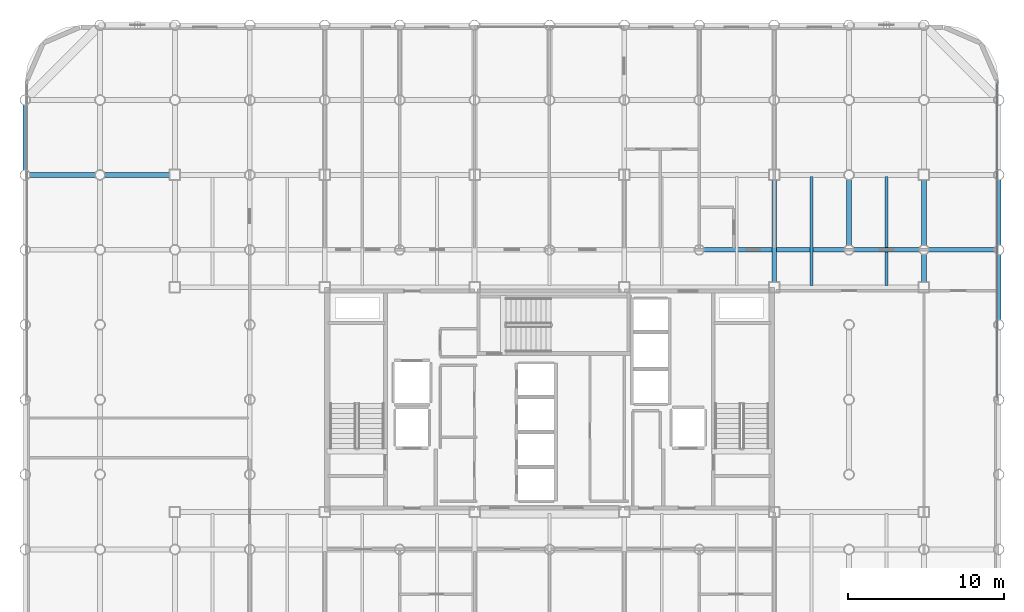
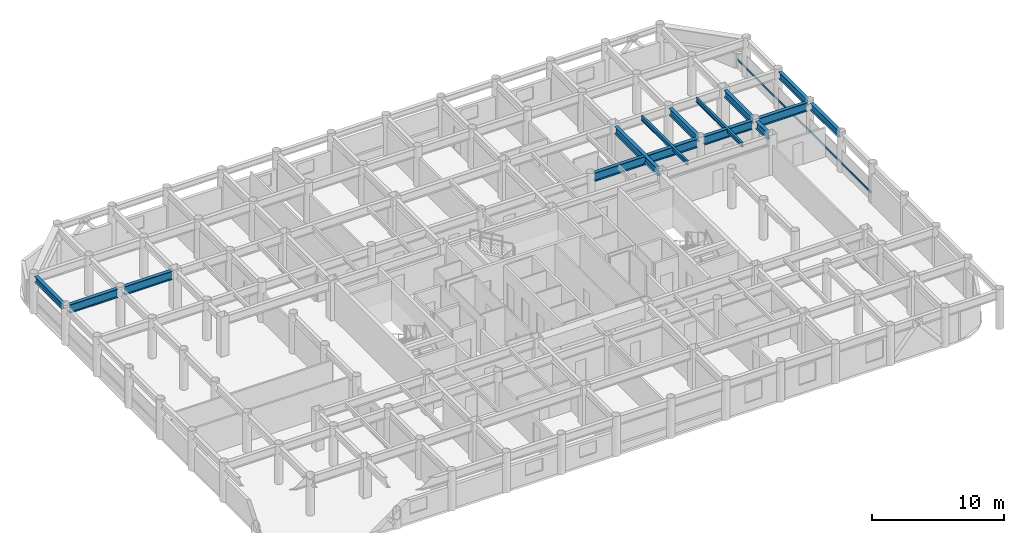
# One storey, part 9 of 20: 14 beams, 1 member, 1 element without a shape of its own.
"""IFC4 building model written with IfcOpenShell, lengths in metres."""

from ifc_helpers import new_model, si_unit, direction, frame, origin, origin_2d, place, context, subcontext, project, spatial, hollow_rectangle, i_section, extrude, material, layer, layer_set, material_profile, profile_set, type_object, element, aggregate, save


model = new_model("IFC4")

# Units and contexts
model_context = context("Model", 3, precision=1e-05, world=origin(), true_north=direction((0.0, 1.0)))
body_context = subcontext(model_context, "Body", "Model", "MODEL_VIEW")
ifc_project = project(units=[si_unit("LENGTHUNIT", "METRE"), si_unit("AREAUNIT", "SQUARE_METRE"), si_unit("VOLUMEUNIT", "CUBIC_METRE"), si_unit("PLANEANGLEUNIT", "RADIAN"), si_unit("MASSUNIT", "GRAM", prefix="KILO")], contexts=[model_context])

# Site, building, storey
site_placement = place(None, origin())
site = spatial("IfcSite", under=ifc_project, at=site_placement, CompositionType="ELEMENT")
building_placement = place(site_placement, origin())
building = spatial("IfcBuilding", under=site, at=building_placement, Name="Kallvorn Hotel Tower", CompositionType="ELEMENT")
storey_placement = place(building_placement, frame((0.0, 0.0, 143.300048828125)))
storey = spatial("IfcBuildingStorey", under=building, at=storey_placement, Name="L35", CompositionType="ELEMENT", Elevation=143.300048828125)

# Beams
ifc_material_1 = material(Name="Structural steel S355JR", Category="steel")
ifc_material_profile_1 = material_profile(ifc_material_1, i_section(OverallWidth=0.300048828125, OverallDepth=0.550048828125, WebThickness=0.014892578125, FlangeThickness=0.029052734375, at=origin_2d()), Name="HE 550 B")
ifc_profile_set_1 = profile_set([ifc_material_profile_1], Name="Structural steel S355JR")
beam_type_1 = type_object("IfcBeamType", Name="BM_HE550B", PredefinedType="SPANDREL", material=ifc_profile_set_1)
beam_1_placement = place(storey_placement, frame((-33.60009765625, 14.719970703125, 3.244873046875), z_axis=(0.0, 1.0, 0.0), x_axis=(-1.0, 0.0, 0.0)))
element("IfcBeam", 1, at=beam_1_placement, inside=storey, type_object=beam_type_1, Name="L36 Perimeter Spandrel 180", PredefinedType="SPANDREL", context=body_context, shape_type="SweptSolid", body=[
    extrude(i_section(OverallWidth=0.300048828125, OverallDepth=0.550048828125, WebThickness=0.014892578125, FlangeThickness=0.029052734375, at=origin_2d()), origin(), (0.0, 0.0, 1.0), 4.159912109375),
])
ifc_material_2 = material(Name="Structural steel S355JR", Category="steel")
ifc_material_profile_2 = material_profile(ifc_material_2, i_section(OverallWidth=0.300048828125, OverallDepth=0.64990234375, WebThickness=0.01611328125, FlangeThickness=0.031005859375, at=origin_2d()), Name="HE 650 B")
ifc_profile_set_2 = profile_set([ifc_material_profile_2], Name="Structural steel S355JR")
beam_type_2 = type_object("IfcBeamType", Name="BM_HE650B", PredefinedType="BEAM", material=ifc_profile_set_2)
beam_2_placement = place(storey_placement, frame((14.39990234375, 7.52490234375, 3.195068359375), z_axis=(0.0, 1.0, 0.0), x_axis=(-1.0, 0.0, 0.0)))
element("IfcBeam", 2, at=beam_2_placement, inside=storey, type_object=beam_type_2, Name="L36 Primary Y-Girder 124", PredefinedType="BEAM", context=body_context, shape_type="SweptSolid", body=[
    extrude(i_section(OverallWidth=0.300048828125, OverallDepth=0.64990234375, WebThickness=0.01611328125, FlangeThickness=0.031005859375, at=origin_2d()), origin(), (0.0, 0.0, 1.0), 6.550048828125),
])
beam_3_placement = place(storey_placement, frame((19.199951171875, 9.905029296875, 3.195068359375), z_axis=(0.0, 1.0, 0.0), x_axis=(-1.0, 0.0, 0.0)))
element("IfcBeam", 3, at=beam_3_placement, inside=storey, type_object=beam_type_2, Name="L36 Primary Y-Girder 133", PredefinedType="BEAM", context=body_context, shape_type="SweptSolid", body=[
    extrude(i_section(OverallWidth=0.300048828125, OverallDepth=0.64990234375, WebThickness=0.01611328125, FlangeThickness=0.031005859375, at=origin_2d()), origin(), (0.0, 0.0, 1.0), 4.18994140625),
])
beam_4_placement = place(storey_placement, frame((24.0, 7.52490234375, 3.195068359375), z_axis=(0.0, 1.0, 0.0), x_axis=(-1.0, 0.0, 0.0)))
element("IfcBeam", 4, at=beam_4_placement, inside=storey, type_object=beam_type_2, Name="L36 Primary Y-Girder 139", PredefinedType="BEAM", context=body_context, shape_type="SweptSolid", body=[
    extrude(i_section(OverallWidth=0.300048828125, OverallDepth=0.64990234375, WebThickness=0.01611328125, FlangeThickness=0.031005859375, at=origin_2d()), origin(), (0.0, 0.0, 1.0), 1.77001953125),
])
beam_5_placement = place(storey_placement, frame((24.0, 9.905029296875, 3.195068359375), z_axis=(0.0, 1.0, 0.0), x_axis=(-1.0, 0.0, 0.0)))
element("IfcBeam", 5, at=beam_5_placement, inside=storey, type_object=beam_type_2, Name="L36 Primary Y-Girder 140", PredefinedType="BEAM", context=body_context, shape_type="SweptSolid", body=[
    extrude(i_section(OverallWidth=0.300048828125, OverallDepth=0.64990234375, WebThickness=0.01611328125, FlangeThickness=0.031005859375, at=origin_2d()), origin(), (0.0, 0.0, 1.0), 4.169921875),
])
for number, where, z_axis, x_axis, name in (
    (6, (28.800048828125, 5.10498046875, 3.195068359375), (0.0, 1.0, 0.0), (-1.0, 0.0, 0.0), "L36 Primary Y-Girder 148"),
    (7, (28.800048828125, 9.905029296875, 3.195068359375), (0.0, 1.0, 0.0), (-1.0, 0.0, 0.0), "L36 Primary Y-Girder 149"),
):
    element("IfcBeam", number, at=place(storey_placement, frame(where, z_axis=z_axis, x_axis=x_axis)), inside=storey, type_object=beam_type_2, Name=name, PredefinedType="BEAM", context=body_context, shape_type="SweptSolid", body=[
        extrude(i_section(OverallWidth=0.300048828125, OverallDepth=0.64990234375, WebThickness=0.01611328125, FlangeThickness=0.031005859375, at=origin_2d()), origin(), (0.0, 0.0, 1.0), 4.18994140625),
    ])
ifc_material_3 = material(Name="Structural steel S355JR", Category="steel")
ifc_material_profile_3 = material_profile(ifc_material_3, i_section(OverallWidth=0.300048828125, OverallDepth=0.800048828125, WebThickness=0.017578125, FlangeThickness=0.032958984375, at=origin_2d()), Name="HE 800 B")
ifc_profile_set_3 = profile_set([ifc_material_profile_3], Name="Structural steel S355JR")
beam_type_3 = type_object("IfcBeamType", Name="BM_HE800B", PredefinedType="BEAM", material=ifc_profile_set_3)
beam_6_placement = place(storey_placement, frame((9.905029296875, 9.60009765625, 3.119873046875), z_axis=(1.0, 0.0, 0.0), x_axis=(0.0, 1.0, 0.0)))
element("IfcBeam", 8, at=beam_6_placement, inside=storey, type_object=beam_type_3, Name="L36 Primary X-Girder 47", PredefinedType="BEAM", context=body_context, shape_type="SweptSolid", body=[
    extrude(i_section(OverallWidth=0.300048828125, OverallDepth=0.800048828125, WebThickness=0.017578125, FlangeThickness=0.032958984375, at=origin_2d()), origin(), (0.0, 0.0, 1.0), 8.989990234375),
])
for number, where, z_axis, x_axis, name in (
    (9, (19.5048828125, 9.60009765625, 3.119873046875), (1.0, 0.0, 0.0), (0.0, 1.0, 0.0), "L36 Primary X-Girder 48"),
    (10, (24.304931640625, 9.60009765625, 3.119873046875), (1.0, 0.0, 0.0), (0.0, 1.0, 0.0), "L36 Primary X-Girder 49"),
):
    element("IfcBeam", number, at=place(storey_placement, frame(where, z_axis=z_axis, x_axis=x_axis)), inside=storey, type_object=beam_type_3, Name=name, PredefinedType="BEAM", context=body_context, shape_type="SweptSolid", body=[
        extrude(i_section(OverallWidth=0.300048828125, OverallDepth=0.800048828125, WebThickness=0.017578125, FlangeThickness=0.032958984375, at=origin_2d()), origin(), (0.0, 0.0, 1.0), 4.190185546875),
    ])
beam_7_placement = place(storey_placement, frame((-33.294921875, 14.39990234375, 3.119873046875), z_axis=(1.0, 0.0, 0.0), x_axis=(0.0, 1.0, 0.0)))
element("IfcBeam", 11, at=beam_7_placement, inside=storey, type_object=beam_type_3, Name="L36 Primary X-Girder 50", PredefinedType="BEAM", context=body_context, shape_type="SweptSolid", body=[
    extrude(i_section(OverallWidth=0.300048828125, OverallDepth=0.800048828125, WebThickness=0.017578125, FlangeThickness=0.032958984375, at=origin_2d()), origin(), (0.0, 0.0, 1.0), 4.18994140625),
])
beam_8_placement = place(storey_placement, frame((-28.4951171875, 14.39990234375, 3.119873046875), z_axis=(1.0, 0.0, 0.0), x_axis=(0.0, 1.0, 0.0)))
element("IfcBeam", 12, at=beam_8_placement, inside=storey, type_object=beam_type_3, Name="L36 Primary X-Girder 51", PredefinedType="BEAM", context=body_context, shape_type="SweptSolid", body=[
    extrude(i_section(OverallWidth=0.300048828125, OverallDepth=0.800048828125, WebThickness=0.017578125, FlangeThickness=0.032958984375, at=origin_2d()), origin(), (0.0, 0.0, 1.0), 4.170166015625),
])
ifc_material_4 = material(Name="Structural steel S355JR", Category="steel")
ifc_material_profile_4 = material_profile(ifc_material_4, i_section(OverallWidth=0.179931640625, OverallDepth=0.39990234375, WebThickness=0.008544921875, FlangeThickness=0.013427734375, at=origin_2d()), Name="IPE 400")
ifc_profile_set_4 = profile_set([ifc_material_profile_4], Name="Structural steel S355JR")
beam_type_4 = type_object("IfcBeamType", Name="BM_IPE400", PredefinedType="JOIST", material=ifc_profile_set_4)
for number, where, z_axis, x_axis, name in (
    (13, (16.800048828125, 7.300048828125, 3.320068359375), (0.0, 1.0, 0.0), (-1.0, 0.0, 0.0), "L36 Secondary Composite Joist 207"),
    (14, (21.60009765625, 7.300048828125, 3.320068359375), (0.0, 1.0, 0.0), (-1.0, 0.0, 0.0), "L36 Secondary Composite Joist 209"),
):
    element("IfcBeam", number, at=place(storey_placement, frame(where, z_axis=z_axis, x_axis=x_axis)), inside=storey, type_object=beam_type_4, Name=name, PredefinedType="JOIST", context=body_context, shape_type="SweptSolid", body=[
        extrude(i_section(OverallWidth=0.179931640625, OverallDepth=0.39990234375, WebThickness=0.008544921875, FlangeThickness=0.013427734375, at=origin_2d()), origin(), (0.0, 0.0, 1.0), 7.0),
    ])

# Curtain wall, member
ifc_material_5 = material(Name="Thermally broken black-anodised aluminium AA 6063-T6", Category="aluminium")
ifc_layer = layer(ifc_material_5, 0.2099609375)
ifc_layer_set = layer_set([ifc_layer], Name="CW_SYS_4_HOTEL_MID")
curtain_wall_type = type_object("IfcCurtainWallType", Name="CW_SYS_4_HOTEL_MID", PredefinedType="USERDEFINED", material=ifc_layer_set)
curtain_wall_placement = place(storey_placement, origin())
curtain_wall = element("IfcCurtainWall", 15, at=curtain_wall_placement, inside=storey, type_object=curtain_wall_type, Name="L35 Dark-Glass Curtain Wall CW-L35-EN", ObjectType="UNITISED CURTAIN WALL", PredefinedType="USERDEFINED")
ifc_material_6 = material(Name="Thermally broken black-anodised aluminium AA 6063-T6", Category="aluminium")
ifc_material_profile_5 = material_profile(ifc_material_6, hollow_rectangle(XDim=0.070068359375, YDim=0.179931640625, WallThickness=0.00390625, at=origin_2d()), Name="TRN 180x70")
ifc_profile_set_5 = profile_set([ifc_material_profile_5], Name="Thermally broken black-anodised aluminium AA 6063-T6")
member_type = type_object("IfcMemberType", Name="CW_TRANSOM_180x70", PredefinedType="USERDEFINED", material=ifc_profile_set_5)
member_placement = place(storey_placement, frame((28.679931640625, 0.06005859375, 0.849853515625), z_axis=(0.0, 1.0, 0.0), x_axis=(-1.0, 0.0, 0.0)))
member = element("IfcMember", 16, at=member_placement, type_object=member_type, Name="CW-L35-EN Transom 00M", ObjectType="TRANSOM", PredefinedType="USERDEFINED", context=body_context, shape_type="SweptSolid", body=[
    extrude(hollow_rectangle(XDim=0.070068359375, YDim=0.179931640625, WallThickness=0.00390625, at=origin_2d()), origin(), (0.0, 0.0, 1.0), 20.300048828125),
])
aggregate(curtain_wall, [member])

save(model, "model.ifc")
